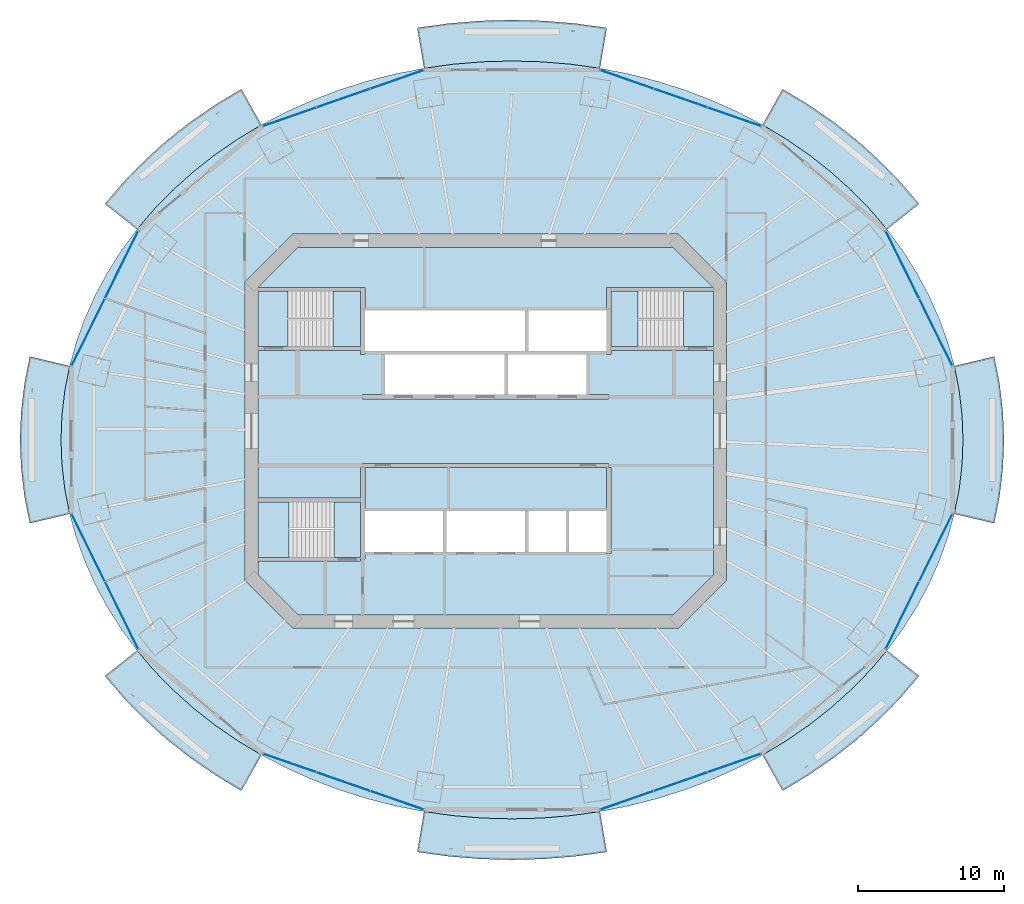
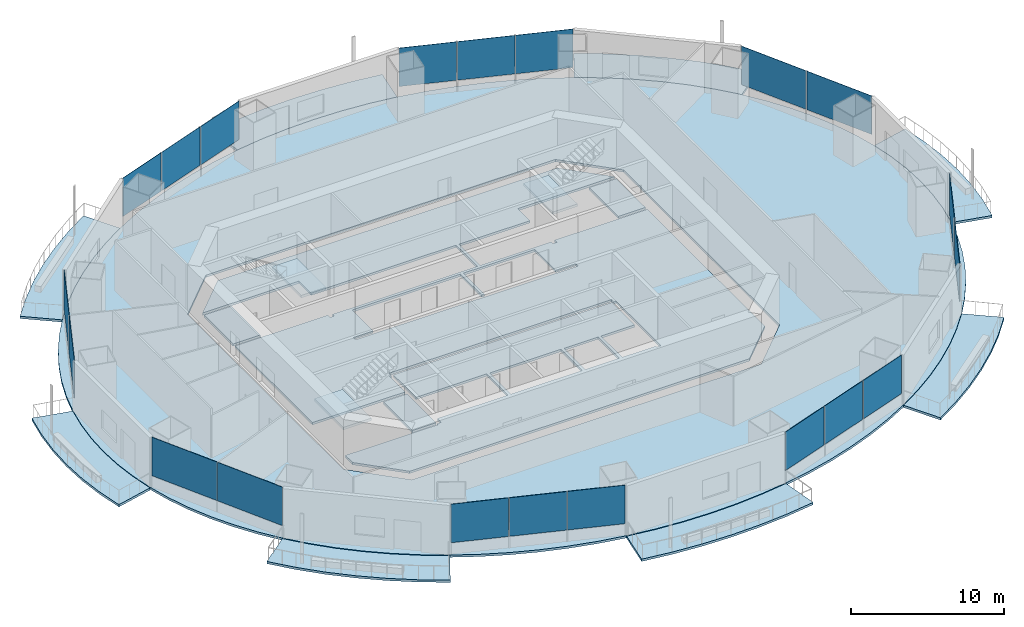
# One storey, part 9 of 19: 20 plates, 16 slabs, 11 elements without a shape of their own.
"""IFC4 building model written with IfcOpenShell, lengths in metres."""

from ifc_helpers import new_model, si_unit, direction, frame, origin, origin_2d, place, context, subcontext, project, spatial, polyline, rectangle, outline, extrude, material, layer, layer_set, type_object, element, aggregate, save


model = new_model("IFC4")

# Units and contexts
model_context = context("Model", 3, precision=1e-05, world=origin(), true_north=direction((0.0, 1.0)))
body_context = subcontext(model_context, "Body", "Model", "MODEL_VIEW")
ifc_project = project(units=[si_unit("LENGTHUNIT", "METRE"), si_unit("AREAUNIT", "SQUARE_METRE"), si_unit("VOLUMEUNIT", "CUBIC_METRE"), si_unit("PLANEANGLEUNIT", "RADIAN"), si_unit("MASSUNIT", "GRAM", prefix="KILO")], contexts=[model_context])

# Site, building, storey
site_placement = place(None, origin())
site = spatial("IfcSite", under=ifc_project, at=site_placement, CompositionType="ELEMENT")
building_placement = place(site_placement, origin())
building = spatial("IfcBuilding", under=site, at=building_placement, Name="Marenthal Gate Tower", CompositionType="ELEMENT")
storey_placement = place(building_placement, frame((0.0, 0.0, 223.300048828125)))
storey = spatial("IfcBuildingStorey", under=building, at=storey_placement, Name="L49", CompositionType="ELEMENT", Elevation=223.300048828125)

# Slabs
ifc_material_1 = material(Name="Concrete 40 MPa", Category="concrete")
ifc_layer_1 = layer(ifc_material_1, 0.179931640625)
ifc_layer_set_1 = layer_set([ifc_layer_1], Name="Balcony deck 180")
slab_type_1 = type_object("IfcSlabType", Name="Balcony deck 180", PredefinedType="USERDEFINED", material=ifc_layer_set_1)
slab_1_placement = place(storey_placement, frame((0.0, 0.0, -0.219970703125)))
element("IfcSlab", 1, at=slab_1_placement, inside=storey, type_object=slab_type_1, Name="Balcony deck L49 bay 2", ObjectType="BALCONY", PredefinedType="USERDEFINED", context=body_context, shape_type="SweptSolid", body=[
    extrude(outline(polyline([(27.416015625, 13.781005859375), (26.24169921875, 15.15771484375), (24.962646484375, 16.46728515625), (23.58447265625, 17.70361328125), (22.113037109375, 18.861328125), (20.5546875, 19.93603515625), (18.916015625, 20.922607421875), (20.28662109375, 23.3642578125), (22.072021484375, 22.289306640625), (23.774169921875, 21.115478515625), (25.3857421875, 19.84716796875), (26.899658203125, 18.489013671875), (28.30908203125, 17.0458984375), (29.607421875, 15.523681640625), (27.416015625, 13.781005859375)])), origin(), (0.0, 0.0, 1.0), 0.179931640625),
])
slab_2_placement = place(storey_placement, frame((0.0, 0.0, -0.219970703125)))
element("IfcSlab", 2, at=slab_2_placement, inside=storey, type_object=slab_type_1, Name="Balcony deck L49 bay 4", ObjectType="BALCONY", PredefinedType="USERDEFINED", context=body_context, shape_type="SweptSolid", body=[
    extrude(outline(polyline([(7.810302734375, 24.78759765625), (5.8212890625, 25.063720703125), (3.81494140625, 25.2294921875), (1.800048828125, 25.284912109375), (-0.21484375, 25.2294921875), (-2.22119140625, 25.063720703125), (-4.210205078125, 24.78759765625), (-4.671875, 27.54931640625), (-2.529052734375, 27.8466796875), (-0.368896484375, 28.025390625), (1.800048828125, 28.0849609375), (3.96875, 28.025390625), (6.129150390625, 27.8466796875), (8.27197265625, 27.54931640625), (7.810302734375, 24.78759765625)])), origin(), (0.0, 0.0, 1.0), 0.179931640625),
])
slab_3_placement = place(storey_placement, frame((0.0, 0.0, -0.219970703125)))
element("IfcSlab", 3, at=slab_3_placement, inside=storey, type_object=slab_type_1, Name="Balcony deck L49 bay 6", ObjectType="BALCONY", PredefinedType="USERDEFINED", context=body_context, shape_type="SweptSolid", body=[
    extrude(outline(polyline([(-15.31591796875, 20.922607421875), (-16.95458984375, 19.93603515625), (-18.51318359375, 18.861328125), (-19.984619140625, 17.70361328125), (-21.36279296875, 16.46728515625), (-22.6416015625, 15.15771484375), (-23.81591796875, 13.781005859375), (-26.00732421875, 15.523681640625), (-24.709228515625, 17.0458984375), (-23.2998046875, 18.489013671875), (-21.78564453125, 19.84716796875), (-20.174072265625, 21.115478515625), (-18.471923828125, 22.289306640625), (-16.686767578125, 23.3642578125), (-15.31591796875, 20.922607421875)])), origin(), (0.0, 0.0, 1.0), 0.179931640625),
])
slab_4_placement = place(storey_placement, frame((0.0, 0.0, -0.219970703125)))
element("IfcSlab", 4, at=slab_4_placement, inside=storey, type_object=slab_type_1, Name="Balcony deck L49 bay 8", ObjectType="BALCONY", PredefinedType="USERDEFINED", context=body_context, shape_type="SweptSolid", body=[
    extrude(outline(polyline([(-28.416015625, 4.449951171875), (-28.744384765625, 2.77880859375), (-28.94189453125, 1.093017578125), (-29.008056640625, -0.60009765625), (-28.94189453125, -2.29296875), (-28.744384765625, -3.978759765625), (-28.416015625, -5.64990234375), (-31.140625, -6.294921875), (-31.5107421875, -4.412109375), (-31.7333984375, -2.5107421875), (-31.80810546875, -0.60009765625), (-31.7333984375, 1.310791015625), (-31.5107421875, 3.212158203125), (-31.140625, 5.094970703125), (-28.416015625, 4.449951171875)])), origin(), (0.0, 0.0, 1.0), 0.179931640625),
])
slab_5_placement = place(storey_placement, frame((0.0, 0.0, -0.219970703125)))
element("IfcSlab", 5, at=slab_5_placement, inside=storey, type_object=slab_type_1, Name="Balcony deck L49 bay 10", ObjectType="BALCONY", PredefinedType="USERDEFINED", context=body_context, shape_type="SweptSolid", body=[
    extrude(outline(polyline([(-23.81591796875, -14.98095703125), (-22.6416015625, -16.35791015625), (-21.36279296875, -17.667236328125), (-19.984619140625, -18.903564453125), (-18.51318359375, -20.061279296875), (-16.95458984375, -21.135986328125), (-15.31591796875, -22.12255859375), (-16.686767578125, -24.564208984375), (-18.471923828125, -23.4892578125), (-20.174072265625, -22.315673828125), (-21.78564453125, -21.04736328125), (-23.2998046875, -19.68896484375), (-24.709228515625, -18.24609375), (-26.00732421875, -16.7236328125), (-23.81591796875, -14.98095703125)])), origin(), (0.0, 0.0, 1.0), 0.179931640625),
])
slab_6_placement = place(storey_placement, frame((0.0, 0.0, -0.219970703125)))
element("IfcSlab", 6, at=slab_6_placement, inside=storey, type_object=slab_type_1, Name="Balcony deck L49 bay 12", ObjectType="BALCONY", PredefinedType="USERDEFINED", context=body_context, shape_type="SweptSolid", body=[
    extrude(outline(polyline([(-4.210205078125, -25.987548828125), (-2.22119140625, -26.263671875), (-0.21484375, -26.4296875), (1.800048828125, -26.485107421875), (3.81494140625, -26.4296875), (5.8212890625, -26.263671875), (7.810302734375, -25.987548828125), (8.27197265625, -28.749267578125), (6.129150390625, -29.046630859375), (3.96875, -29.225341796875), (1.800048828125, -29.284912109375), (-0.368896484375, -29.225341796875), (-2.529052734375, -29.046630859375), (-4.671875, -28.749267578125), (-4.210205078125, -25.987548828125)])), origin(), (0.0, 0.0, 1.0), 0.179931640625),
])
slab_7_placement = place(storey_placement, frame((0.0, 0.0, -0.219970703125)))
element("IfcSlab", 7, at=slab_7_placement, inside=storey, type_object=slab_type_1, Name="Balcony deck L49 bay 14", ObjectType="BALCONY", PredefinedType="USERDEFINED", context=body_context, shape_type="SweptSolid", body=[
    extrude(outline(polyline([(18.916015625, -22.12255859375), (20.5546875, -21.135986328125), (22.113037109375, -20.061279296875), (23.58447265625, -18.903564453125), (24.962646484375, -17.667236328125), (26.24169921875, -16.35791015625), (27.416015625, -14.98095703125), (29.607421875, -16.7236328125), (28.30908203125, -18.24609375), (26.899658203125, -19.68896484375), (25.3857421875, -21.04736328125), (23.774169921875, -22.315673828125), (22.072021484375, -23.4892578125), (20.28662109375, -24.564208984375), (18.916015625, -22.12255859375)])), origin(), (0.0, 0.0, 1.0), 0.179931640625),
])
slab_8_placement = place(storey_placement, frame((0.0, 0.0, -0.219970703125)))
element("IfcSlab", 8, at=slab_8_placement, inside=storey, type_object=slab_type_1, Name="Balcony deck L49 bay 16", ObjectType="BALCONY", PredefinedType="USERDEFINED", context=body_context, shape_type="SweptSolid", body=[
    extrude(outline(polyline([(32.01611328125, -5.64990234375), (32.344482421875, -3.978759765625), (32.5419921875, -2.29296875), (32.60791015625, -0.60009765625), (32.5419921875, 1.093017578125), (32.344482421875, 2.77880859375), (32.01611328125, 4.449951171875), (34.74072265625, 5.094970703125), (35.110595703125, 3.212158203125), (35.33349609375, 1.310791015625), (35.407958984375, -0.60009765625), (35.33349609375, -2.5107421875), (35.110595703125, -4.412109375), (34.74072265625, -6.294921875), (32.01611328125, -5.64990234375)])), origin(), (0.0, 0.0, 1.0), 0.179931640625),
])
ifc_material_2 = material(Name="Concrete 50 MPa", Category="concrete")
ifc_layer_2 = layer(ifc_material_2, 0.179931640625)
ifc_layer_set_2 = layer_set([ifc_layer_2], Name="Core floor slab 180")
slab_type_2 = type_object("IfcSlabType", Name="Core floor slab 180", PredefinedType="FLOOR", material=ifc_layer_set_2)
slab_9_placement = place(storey_placement, frame((0.0, 0.0, -0.179931640625)))
element("IfcSlab", 9, at=slab_9_placement, inside=storey, type_object=slab_type_2, Name="Core floor L49", PredefinedType="FLOOR", context=body_context, shape_type="SweptSolid", body=[
    extrude(outline(polyline([(12.813720703125, -12.550048828125), (-12.813720703125, -12.550048828125), (-15.550048828125, -9.813720703125), (-15.550048828125, -8.875), (-8.550048828125, -8.875), (-8.550048828125, -8.75), (-8.25, -8.75), (-8.25, -8.239990234375), (-5.60009765625, -8.239990234375), (-2.909912109375, -8.239990234375), (-2.909912109375, -5.4599609375), (-5.60009765625, -5.4599609375), (-8.25, -5.4599609375), (-8.25, -2.5), (8.25, -2.5), (8.25, -5.4599609375), (5.7099609375, -5.4599609375), (5.7099609375, -8.239990234375), (8.25, -8.239990234375), (8.25, -8.35009765625), (8.550048828125, -8.35009765625), (8.550048828125, -2.5), (8.39990234375, -2.5), (8.39990234375, -2.199951171875), (-8.39990234375, -2.199951171875), (-8.39990234375, -2.5), (-8.550048828125, -2.5), (-8.550048828125, -4.574951171875), (-15.550048828125, -4.574951171875), (-15.550048828125, 5.52490234375), (-8.550048828125, 5.52490234375), (-8.550048828125, 5.239990234375), (-8.25, 5.239990234375), (-8.25, 5.4599609375), (-5.60009765625, 5.4599609375), (-2.800048828125, 5.4599609375), (0.0, 5.4599609375), (2.68994140625, 5.4599609375), (2.68994140625, 8.239990234375), (0.0, 8.239990234375), (-2.800048828125, 8.239990234375), (-5.60009765625, 8.239990234375), (-8.25, 8.239990234375), (-8.25, 8.35009765625), (-8.25, 9.824951171875), (-8.550048828125, 9.824951171875), (-15.53857421875, 9.824951171875), (-12.813720703125, 12.550048828125), (12.813720703125, 12.550048828125), (15.53857421875, 9.824951171875), (8.550048828125, 9.824951171875), (8.25, 9.824951171875), (8.25, 8.35009765625), (8.25, 8.239990234375), (5.60009765625, 8.239990234375), (2.909912109375, 8.239990234375), (2.909912109375, 5.4599609375), (5.60009765625, 5.4599609375), (8.25, 5.4599609375), (8.25, 5.239990234375), (8.550048828125, 5.239990234375), (8.550048828125, 5.52490234375), (15.550048828125, 5.52490234375), (15.550048828125, -9.813720703125), (12.813720703125, -12.550048828125)]), holes=[polyline([(2.68994140625, -8.239990234375), (2.68994140625, -5.4599609375), (0.0, -5.4599609375), (-2.68994140625, -5.4599609375), (-2.68994140625, -8.239990234375), (0.0, -8.239990234375), (2.68994140625, -8.239990234375)]), polyline([(-6.889892578125, 5.239990234375), (-6.889892578125, 2.5), (-8.39990234375, 2.5), (-8.39990234375, 2.199951171875), (8.39990234375, 2.199951171875), (8.39990234375, 2.5), (6.889892578125, 2.5), (6.889892578125, 5.239990234375), (4.199951171875, 5.239990234375), (1.510009765625, 5.239990234375), (1.510009765625, 2.5), (1.2900390625, 2.5), (1.2900390625, 5.239990234375), (-1.39990234375, 5.239990234375), (-4.199951171875, 5.239990234375), (-6.889892578125, 5.239990234375)]), polyline([(5.489990234375, -8.239990234375), (5.489990234375, -5.4599609375), (2.909912109375, -5.4599609375), (2.909912109375, -8.239990234375), (5.489990234375, -8.239990234375)])]), origin(), (0.0, 0.0, 1.0), 0.179931640625),
])
slab_10_placement = place(storey_placement, frame((0.0, 0.0, -0.179931640625)))
element("IfcSlab", 10, at=slab_10_placement, inside=storey, type_object=slab_type_2, Name="Core floor L49", PredefinedType="FLOOR", context=body_context, shape_type="SweptSolid", body=[
    extrude(outline(polyline([(15.550048828125, 5.77490234375), (13.5, 5.77490234375), (13.5, 9.574951171875), (15.550048828125, 9.574951171875), (15.550048828125, 5.77490234375)])), origin(), (0.0, 0.0, 1.0), 0.179931640625),
])
slab_11_placement = place(storey_placement, frame((0.0, 0.0, -0.179931640625)))
element("IfcSlab", 11, at=slab_11_placement, inside=storey, type_object=slab_type_2, Name="Core floor L49", PredefinedType="FLOOR", context=body_context, shape_type="SweptSolid", body=[
    extrude(outline(polyline([(-15.550048828125, 9.574951171875), (-13.5, 9.574951171875), (-13.5, 5.77490234375), (-15.550048828125, 5.77490234375), (-15.550048828125, 9.574951171875)])), origin(), (0.0, 0.0, 1.0), 0.179931640625),
])
slab_12_placement = place(storey_placement, frame((0.0, 0.0, -0.179931640625)))
element("IfcSlab", 12, at=slab_12_placement, inside=storey, type_object=slab_type_2, Name="Core floor L49", PredefinedType="FLOOR", context=body_context, shape_type="SweptSolid", body=[
    extrude(outline(polyline([(-8.550048828125, -8.625), (-10.35009765625, -8.625), (-10.35009765625, -4.824951171875), (-8.550048828125, -4.824951171875), (-8.550048828125, -8.625)])), origin(), (0.0, 0.0, 1.0), 0.179931640625),
])
ifc_material_3 = material(Name="Concrete 35 MPa", Category="concrete")
ifc_layer_3 = layer(ifc_material_3, 0.179931640625)
ifc_layer_set_3 = layer_set([ifc_layer_3], Name="Floor slab 180")
slab_type_3 = type_object("IfcSlabType", Name="Floor slab 180", PredefinedType="FLOOR", material=ifc_layer_set_3)
slab_13_placement = place(storey_placement, frame((0.0, 0.0, -0.179931640625)))
element("IfcSlab", 13, at=slab_13_placement, inside=storey, type_object=slab_type_3, Name="SL-L49-01", PredefinedType="FLOOR", context=body_context, shape_type="SweptSolid", body=[
    extrude(outline(polyline([(32.60791015625, -0.60009765625), (32.5419921875, 1.093017578125), (32.344482421875, 2.77880859375), (32.01611328125, 4.449951171875), (31.55810546875, 6.099609375), (30.972900390625, 7.720458984375), (30.262939453125, 9.305908203125), (29.430908203125, 10.8486328125), (28.48046875, 12.342529296875), (27.416015625, 13.781005859375), (26.24169921875, 15.15771484375), (24.962646484375, 16.46728515625), (23.58447265625, 17.70361328125), (22.113037109375, 18.861328125), (20.5546875, 19.93603515625), (18.916015625, 20.922607421875), (17.2041015625, 21.817138671875), (15.426025390625, 22.615478515625), (13.589599609375, 23.314697265625), (11.702880859375, 23.911376953125), (9.773681640625, 24.403076171875), (7.810302734375, 24.78759765625), (5.8212890625, 25.063720703125), (3.81494140625, 25.2294921875), (1.800048828125, 25.284912109375), (-0.21484375, 25.2294921875), (-2.22119140625, 25.063720703125), (-4.210205078125, 24.78759765625), (-6.173583984375, 24.403076171875), (-8.102783203125, 23.911376953125), (-9.98974609375, 23.314697265625), (-11.825927734375, 22.615478515625), (-13.60400390625, 21.817138671875), (-15.31591796875, 20.922607421875), (-16.95458984375, 19.93603515625), (-18.51318359375, 18.861328125), (-19.984619140625, 17.70361328125), (-21.36279296875, 16.46728515625), (-22.6416015625, 15.15771484375), (-23.81591796875, 13.781005859375), (-24.880615234375, 12.342529296875), (-25.830810546875, 10.8486328125), (-26.662841796875, 9.305908203125), (-27.373046875, 7.720458984375), (-27.958251953125, 6.099609375), (-28.416015625, 4.449951171875), (-28.744384765625, 2.77880859375), (-28.94189453125, 1.093017578125), (-29.008056640625, -0.60009765625), (-28.94189453125, -2.29296875), (-28.744384765625, -3.978759765625), (-28.416015625, -5.64990234375), (-27.958251953125, -7.299560546875), (-27.373046875, -8.92041015625), (-26.662841796875, -10.505859375), (-25.830810546875, -12.048583984375), (-24.880615234375, -13.54248046875), (-23.81591796875, -14.98095703125), (-22.6416015625, -16.35791015625), (-21.36279296875, -17.667236328125), (-19.984619140625, -18.903564453125), (-18.51318359375, -20.061279296875), (-16.95458984375, -21.135986328125), (-15.31591796875, -22.12255859375), (-13.60400390625, -23.01708984375), (-11.825927734375, -23.815673828125), (-9.98974609375, -24.5146484375), (-8.102783203125, -25.111328125), (-6.173583984375, -25.60302734375), (-4.210205078125, -25.987548828125), (-2.22119140625, -26.263671875), (-0.21484375, -26.4296875), (1.800048828125, -26.485107421875), (3.81494140625, -26.4296875), (5.8212890625, -26.263671875), (7.810302734375, -25.987548828125), (9.773681640625, -25.60302734375), (11.702880859375, -25.111328125), (13.589599609375, -24.5146484375), (15.426025390625, -23.815673828125), (17.2041015625, -23.01708984375), (18.916015625, -22.12255859375), (20.5546875, -21.135986328125), (22.113037109375, -20.061279296875), (23.58447265625, -18.903564453125), (24.962646484375, -17.667236328125), (26.24169921875, -16.35791015625), (27.416015625, -14.98095703125), (28.48046875, -13.54248046875), (29.430908203125, -12.048583984375), (30.262939453125, -10.505859375), (30.972900390625, -8.92041015625), (31.55810546875, -7.299560546875), (32.01611328125, -5.64990234375), (32.344482421875, -3.978759765625), (32.5419921875, -2.29296875), (32.60791015625, -0.60009765625)]), holes=[polyline([(13.186279296875, -13.449951171875), (16.449951171875, -10.186279296875), (16.449951171875, 10.186279296875), (13.186279296875, 13.449951171875), (-13.186279296875, 13.449951171875), (-16.449951171875, 10.186279296875), (-16.449951171875, -10.186279296875), (-13.186279296875, -13.449951171875), (13.186279296875, -13.449951171875)])]), origin(), (0.0, 0.0, 1.0), 0.179931640625),
])

# Curtain wall, plates
ifc_material_4 = material(Name="Aluminium and glass", Category="aluminium")
curtain_wall_type = type_object("IfcCurtainWallType", Name="Curtain wall typical mid", PredefinedType="NOTDEFINED", material=ifc_material_4)
curtain_wall_1_placement = place(storey_placement, origin())
curtain_wall_1 = element("IfcCurtainWall", 14, at=curtain_wall_1_placement, inside=storey, type_object=curtain_wall_type, Name="Curtain wall L49 bay 1", PredefinedType="NOTDEFINED")
ifc_material_5 = material(Name="Glass, laminated insulating unit", Category="glass")
ifc_layer_4 = layer(ifc_material_5, 0.030029296875)
ifc_layer_set_4 = layer_set([ifc_layer_4], Name="Glass panel 30 typical mid")
plate_type = type_object("IfcPlateType", Name="Glass panel 30 typical mid", PredefinedType="CURTAIN_PANEL", material=ifc_layer_set_4)
plate_1_placement = place(storey_placement, frame((30.74609375, 6.761962890625, 0.89990234375), z_axis=(0.0, 0.0, 1.0), x_axis=(-0.442441217329, 0.896797507361, 0.0)))
plate_1 = element("IfcPlate", 15, at=plate_1_placement, type_object=plate_type, Name="Glass panel L49 bay 1.1", PredefinedType="CURTAIN_PANEL", context=body_context, shape_type="SweptSolid", body=[
    extrude(rectangle(XDim=5.08837890625, YDim=0.030029296875, at=origin_2d()), origin(), (0.0, 0.0, 1.0), 3.070068359375),
])
plate_2_placement = place(storey_placement, frame((28.46826171875, 11.37890625, 0.89990234375), z_axis=(0.0, 0.0, 1.0), x_axis=(-0.442441217329, 0.896797507361, 0.0)))
plate_2 = element("IfcPlate", 16, at=plate_2_placement, type_object=plate_type, Name="Glass panel L49 bay 1.2", PredefinedType="CURTAIN_PANEL", context=body_context, shape_type="SweptSolid", body=[
    extrude(rectangle(XDim=5.08837890625, YDim=0.030029296875, at=origin_2d()), origin(), (0.0, 0.0, 1.0), 3.070068359375),
])
aggregate(curtain_wall_1, [plate_1, plate_2])

curtain_wall_2_placement = place(storey_placement, origin())
curtain_wall_2 = element("IfcCurtainWall", 17, at=curtain_wall_2_placement, inside=storey, type_object=curtain_wall_type, Name="Curtain wall L49 bay 3", PredefinedType="NOTDEFINED")
plate_3_placement = place(storey_placement, frame((16.986572265625, 21.470458984375, 0.89990234375), z_axis=(0.0, 0.0, 1.0), x_axis=(-0.94451510961, 0.328467970612, 0.0)))
plate_3 = element("IfcPlate", 18, at=plate_3_placement, type_object=plate_type, Name="Glass panel L49 bay 3.1", PredefinedType="CURTAIN_PANEL", context=body_context, shape_type="SweptSolid", body=[
    extrude(rectangle(XDim=3.82421875, YDim=0.030029296875, at=origin_2d()), origin(), (0.0, 0.0, 1.0), 3.070068359375),
])
plate_4_placement = place(storey_placement, frame((13.318115234375, 22.746337890625, 0.89990234375), z_axis=(0.0, 0.0, 1.0), x_axis=(-0.94451510961, 0.328467970612, 0.0)))
plate_4 = element("IfcPlate", 19, at=plate_4_placement, type_object=plate_type, Name="Glass panel L49 bay 3.2", PredefinedType="CURTAIN_PANEL", context=body_context, shape_type="SweptSolid", body=[
    extrude(rectangle(XDim=3.82421875, YDim=0.030029296875, at=origin_2d()), origin(), (0.0, 0.0, 1.0), 3.070068359375),
])
plate_5_placement = place(storey_placement, frame((9.6494140625, 24.022216796875, 0.89990234375), z_axis=(0.0, 0.0, 1.0), x_axis=(-0.94451510961, 0.328467970612, 0.0)))
plate_5 = element("IfcPlate", 20, at=plate_5_placement, type_object=plate_type, Name="Glass panel L49 bay 3.3", PredefinedType="CURTAIN_PANEL", context=body_context, shape_type="SweptSolid", body=[
    extrude(rectangle(XDim=3.82421875, YDim=0.030029296875, at=origin_2d()), origin(), (0.0, 0.0, 1.0), 3.070068359375),
])
aggregate(curtain_wall_2, [plate_3, plate_4, plate_5])

curtain_wall_3_placement = place(storey_placement, origin())
curtain_wall_3 = element("IfcCurtainWall", 21, at=curtain_wall_3_placement, inside=storey, type_object=curtain_wall_type, Name="Curtain wall L49 bay 5", PredefinedType="NOTDEFINED")
plate_6_placement = place(storey_placement, frame((-6.049560546875, 24.022216796875, 0.89990234375), z_axis=(0.0, 0.0, 1.0), x_axis=(-0.94451510961, -0.328467970612, 0.0)))
plate_6 = element("IfcPlate", 22, at=plate_6_placement, type_object=plate_type, Name="Glass panel L49 bay 5.1", PredefinedType="CURTAIN_PANEL", context=body_context, shape_type="SweptSolid", body=[
    extrude(rectangle(XDim=3.82421875, YDim=0.030029296875, at=origin_2d()), origin(), (0.0, 0.0, 1.0), 3.070068359375),
])
plate_7_placement = place(storey_placement, frame((-9.718017578125, 22.746337890625, 0.89990234375), z_axis=(0.0, 0.0, 1.0), x_axis=(-0.94451510961, -0.328467970612, 0.0)))
plate_7 = element("IfcPlate", 23, at=plate_7_placement, type_object=plate_type, Name="Glass panel L49 bay 5.2", PredefinedType="CURTAIN_PANEL", context=body_context, shape_type="SweptSolid", body=[
    extrude(rectangle(XDim=3.82421875, YDim=0.030029296875, at=origin_2d()), origin(), (0.0, 0.0, 1.0), 3.070068359375),
])
plate_8_placement = place(storey_placement, frame((-13.38671875, 21.470458984375, 0.89990234375), z_axis=(0.0, 0.0, 1.0), x_axis=(-0.94451510961, -0.328467970612, 0.0)))
plate_8 = element("IfcPlate", 24, at=plate_8_placement, type_object=plate_type, Name="Glass panel L49 bay 5.3", PredefinedType="CURTAIN_PANEL", context=body_context, shape_type="SweptSolid", body=[
    extrude(rectangle(XDim=3.82421875, YDim=0.030029296875, at=origin_2d()), origin(), (0.0, 0.0, 1.0), 3.070068359375),
])
aggregate(curtain_wall_3, [plate_6, plate_7, plate_8])

curtain_wall_4_placement = place(storey_placement, origin())
curtain_wall_4 = element("IfcCurtainWall", 25, at=curtain_wall_4_placement, inside=storey, type_object=curtain_wall_type, Name="Curtain wall L49 bay 7", PredefinedType="NOTDEFINED")
plate_9_placement = place(storey_placement, frame((-24.8681640625, 11.37890625, 0.89990234375), z_axis=(0.0, 0.0, 1.0), x_axis=(-0.442441217329, -0.896797507361, 0.0)))
plate_9 = element("IfcPlate", 26, at=plate_9_placement, type_object=plate_type, Name="Glass panel L49 bay 7.1", PredefinedType="CURTAIN_PANEL", context=body_context, shape_type="SweptSolid", body=[
    extrude(rectangle(XDim=5.08837890625, YDim=0.030029296875, at=origin_2d()), origin(), (0.0, 0.0, 1.0), 3.070068359375),
])
plate_10_placement = place(storey_placement, frame((-27.14599609375, 6.761962890625, 0.89990234375), z_axis=(0.0, 0.0, 1.0), x_axis=(-0.442441217329, -0.896797507361, 0.0)))
plate_10 = element("IfcPlate", 27, at=plate_10_placement, type_object=plate_type, Name="Glass panel L49 bay 7.2", PredefinedType="CURTAIN_PANEL", context=body_context, shape_type="SweptSolid", body=[
    extrude(rectangle(XDim=5.08837890625, YDim=0.030029296875, at=origin_2d()), origin(), (0.0, 0.0, 1.0), 3.070068359375),
])
aggregate(curtain_wall_4, [plate_9, plate_10])

curtain_wall_5_placement = place(storey_placement, origin())
curtain_wall_5 = element("IfcCurtainWall", 28, at=curtain_wall_5_placement, inside=storey, type_object=curtain_wall_type, Name="Curtain wall L49 bay 9", PredefinedType="NOTDEFINED")
plate_11_placement = place(storey_placement, frame((-27.14599609375, -7.9619140625, 0.89990234375), z_axis=(0.0, 0.0, 1.0), x_axis=(0.442441217329, -0.896797507361, 0.0)))
plate_11 = element("IfcPlate", 29, at=plate_11_placement, type_object=plate_type, Name="Glass panel L49 bay 9.1", PredefinedType="CURTAIN_PANEL", context=body_context, shape_type="SweptSolid", body=[
    extrude(rectangle(XDim=5.08837890625, YDim=0.030029296875, at=origin_2d()), origin(), (0.0, 0.0, 1.0), 3.070068359375),
])
plate_12_placement = place(storey_placement, frame((-24.868408203125, -12.578857421875, 0.89990234375), z_axis=(0.0, 0.0, 1.0), x_axis=(0.442441217329, -0.896797507361, 0.0)))
plate_12 = element("IfcPlate", 30, at=plate_12_placement, type_object=plate_type, Name="Glass panel L49 bay 9.2", PredefinedType="CURTAIN_PANEL", context=body_context, shape_type="SweptSolid", body=[
    extrude(rectangle(XDim=5.08837890625, YDim=0.030029296875, at=origin_2d()), origin(), (0.0, 0.0, 1.0), 3.070068359375),
])
aggregate(curtain_wall_5, [plate_11, plate_12])

curtain_wall_6_placement = place(storey_placement, origin())
curtain_wall_6 = element("IfcCurtainWall", 31, at=curtain_wall_6_placement, inside=storey, type_object=curtain_wall_type, Name="Curtain wall L49 bay 11", PredefinedType="NOTDEFINED")
plate_13_placement = place(storey_placement, frame((-13.38671875, -22.670654296875, 0.89990234375), z_axis=(0.0, 0.0, 1.0), x_axis=(0.94451510961, -0.328467970612, 0.0)))
plate_13 = element("IfcPlate", 32, at=plate_13_placement, type_object=plate_type, Name="Glass panel L49 bay 11.1", PredefinedType="CURTAIN_PANEL", context=body_context, shape_type="SweptSolid", body=[
    extrude(rectangle(XDim=3.82421875, YDim=0.030029296875, at=origin_2d()), origin(), (0.0, 0.0, 1.0), 3.070068359375),
])
plate_14_placement = place(storey_placement, frame((-9.718017578125, -23.9462890625, 0.89990234375), z_axis=(0.0, 0.0, 1.0), x_axis=(0.94451510961, -0.328467970612, 0.0)))
plate_14 = element("IfcPlate", 33, at=plate_14_placement, type_object=plate_type, Name="Glass panel L49 bay 11.2", PredefinedType="CURTAIN_PANEL", context=body_context, shape_type="SweptSolid", body=[
    extrude(rectangle(XDim=3.82421875, YDim=0.030029296875, at=origin_2d()), origin(), (0.0, 0.0, 1.0), 3.070068359375),
])
plate_15_placement = place(storey_placement, frame((-6.049560546875, -25.22216796875, 0.89990234375), z_axis=(0.0, 0.0, 1.0), x_axis=(0.94451510961, -0.328467970612, 0.0)))
plate_15 = element("IfcPlate", 34, at=plate_15_placement, type_object=plate_type, Name="Glass panel L49 bay 11.3", PredefinedType="CURTAIN_PANEL", context=body_context, shape_type="SweptSolid", body=[
    extrude(rectangle(XDim=3.82421875, YDim=0.030029296875, at=origin_2d()), origin(), (0.0, 0.0, 1.0), 3.070068359375),
])
aggregate(curtain_wall_6, [plate_13, plate_14, plate_15])

curtain_wall_7_placement = place(storey_placement, origin())
curtain_wall_7 = element("IfcCurtainWall", 35, at=curtain_wall_7_placement, inside=storey, type_object=curtain_wall_type, Name="Curtain wall L49 bay 13", PredefinedType="NOTDEFINED")
plate_16_placement = place(storey_placement, frame((9.6494140625, -25.22216796875, 0.89990234375), z_axis=(0.0, 0.0, 1.0), x_axis=(0.94451510961, 0.328467970612, 0.0)))
plate_16 = element("IfcPlate", 36, at=plate_16_placement, type_object=plate_type, Name="Glass panel L49 bay 13.1", PredefinedType="CURTAIN_PANEL", context=body_context, shape_type="SweptSolid", body=[
    extrude(rectangle(XDim=3.82421875, YDim=0.030029296875, at=origin_2d()), origin(), (0.0, 0.0, 1.0), 3.070068359375),
])
plate_17_placement = place(storey_placement, frame((13.318115234375, -23.9462890625, 0.89990234375), z_axis=(0.0, 0.0, 1.0), x_axis=(0.94451510961, 0.328467970612, 0.0)))
plate_17 = element("IfcPlate", 37, at=plate_17_placement, type_object=plate_type, Name="Glass panel L49 bay 13.2", PredefinedType="CURTAIN_PANEL", context=body_context, shape_type="SweptSolid", body=[
    extrude(rectangle(XDim=3.82421875, YDim=0.030029296875, at=origin_2d()), origin(), (0.0, 0.0, 1.0), 3.070068359375),
])
plate_18_placement = place(storey_placement, frame((16.98681640625, -22.670654296875, 0.89990234375), z_axis=(0.0, 0.0, 1.0), x_axis=(0.94451510961, 0.328467970612, 0.0)))
plate_18 = element("IfcPlate", 38, at=plate_18_placement, type_object=plate_type, Name="Glass panel L49 bay 13.3", PredefinedType="CURTAIN_PANEL", context=body_context, shape_type="SweptSolid", body=[
    extrude(rectangle(XDim=3.82421875, YDim=0.030029296875, at=origin_2d()), origin(), (0.0, 0.0, 1.0), 3.070068359375),
])
aggregate(curtain_wall_7, [plate_16, plate_17, plate_18])

curtain_wall_8_placement = place(storey_placement, origin())
curtain_wall_8 = element("IfcCurtainWall", 39, at=curtain_wall_8_placement, inside=storey, type_object=curtain_wall_type, Name="Curtain wall L49 bay 15", PredefinedType="NOTDEFINED")
plate_19_placement = place(storey_placement, frame((28.46826171875, -12.578857421875, 0.89990234375), z_axis=(0.0, 0.0, 1.0), x_axis=(0.442441217329, 0.896797507361, 0.0)))
plate_19 = element("IfcPlate", 40, at=plate_19_placement, type_object=plate_type, Name="Glass panel L49 bay 15.1", PredefinedType="CURTAIN_PANEL", context=body_context, shape_type="SweptSolid", body=[
    extrude(rectangle(XDim=5.08837890625, YDim=0.030029296875, at=origin_2d()), origin(), (0.0, 0.0, 1.0), 3.070068359375),
])
plate_20_placement = place(storey_placement, frame((30.74609375, -7.9619140625, 0.89990234375), z_axis=(0.0, 0.0, 1.0), x_axis=(0.442441217329, 0.896797507361, 0.0)))
plate_20 = element("IfcPlate", 41, at=plate_20_placement, type_object=plate_type, Name="Glass panel L49 bay 15.2", PredefinedType="CURTAIN_PANEL", context=body_context, shape_type="SweptSolid", body=[
    extrude(rectangle(XDim=5.08837890625, YDim=0.030029296875, at=origin_2d()), origin(), (0.0, 0.0, 1.0), 3.070068359375),
])
aggregate(curtain_wall_8, [plate_19, plate_20])

# Stair, slab
ifc_material_6 = material(Name="Concrete 40 MPa", Category="concrete")
stair_type = type_object("IfcStairType", Name="Exit stair 1800", PredefinedType="HALF_TURN_STAIR", material=ifc_material_6)
stair_1_placement = place(storey_placement, origin())
stair_1 = element("IfcStair", 42, at=stair_1_placement, inside=storey, type_object=stair_type, Name="Stair ST1", PredefinedType="HALF_TURN_STAIR")
ifc_material_7 = material(Name="Concrete 40 MPa", Category="concrete")
ifc_layer_5 = layer(ifc_material_7, 0.199951171875)
ifc_layer_set_5 = layer_set([ifc_layer_5], Name="Stair landing 200")
slab_type_4 = type_object("IfcSlabType", Name="Stair landing 200", PredefinedType="LANDING", material=ifc_layer_set_5)
slab_14_placement = place(storey_placement, frame((0.0, 0.0, 1.875)))
slab_14 = element("IfcSlab", 43, at=slab_14_placement, type_object=slab_type_4, Name="ST1 landing 1", PredefinedType="LANDING", context=body_context, shape_type="SweptSolid", body=[
    extrude(outline(polyline([(-10.419921875, 5.77490234375), (-8.550048828125, 5.77490234375), (-8.550048828125, 9.574951171875), (-10.419921875, 9.574951171875), (-10.419921875, 5.77490234375)])), origin(), (0.0, 0.0, 1.0), 0.199951171875),
])
aggregate(stair_1, [slab_14])

stair_2_placement = place(storey_placement, origin())
stair_2 = element("IfcStair", 44, at=stair_2_placement, inside=storey, type_object=stair_type, Name="Stair ST2", PredefinedType="HALF_TURN_STAIR")
slab_15_placement = place(storey_placement, frame((0.0, 0.0, 1.875)))
slab_15 = element("IfcSlab", 45, at=slab_15_placement, type_object=slab_type_4, Name="ST2 landing 1", PredefinedType="LANDING", context=body_context, shape_type="SweptSolid", body=[
    extrude(outline(polyline([(-15.550048828125, -8.625), (-13.429931640625, -8.625), (-13.429931640625, -4.824951171875), (-15.550048828125, -4.824951171875), (-15.550048828125, -8.625)])), origin(), (0.0, 0.0, 1.0), 0.199951171875),
])
aggregate(stair_2, [slab_15])

stair_3_placement = place(storey_placement, origin())
stair_3 = element("IfcStair", 46, at=stair_3_placement, inside=storey, type_object=stair_type, Name="Stair ST3", PredefinedType="HALF_TURN_STAIR")
slab_16_placement = place(storey_placement, frame((0.0, 0.0, 1.875)))
slab_16 = element("IfcSlab", 47, at=slab_16_placement, type_object=slab_type_4, Name="ST3 landing 1", PredefinedType="LANDING", context=body_context, shape_type="SweptSolid", body=[
    extrude(outline(polyline([(8.550048828125, 5.77490234375), (10.419921875, 5.77490234375), (10.419921875, 9.574951171875), (8.550048828125, 9.574951171875), (8.550048828125, 5.77490234375)])), origin(), (0.0, 0.0, 1.0), 0.199951171875),
])
aggregate(stair_3, [slab_16])

save(model, "model.ifc")
